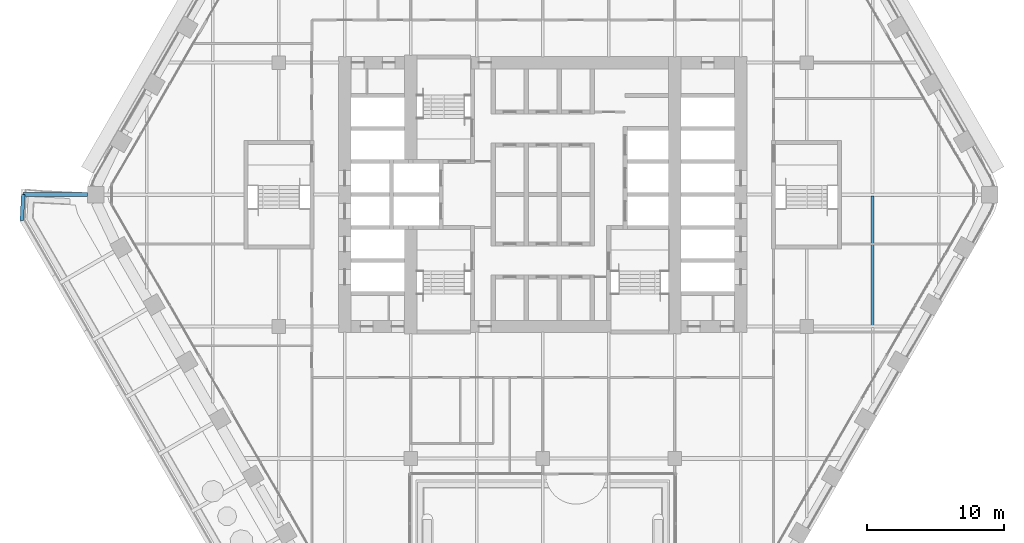
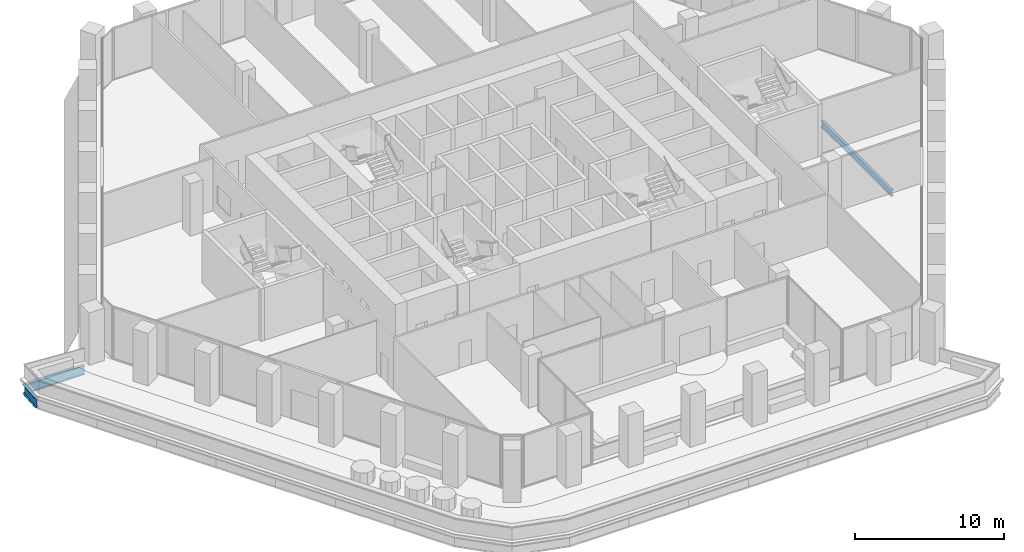
# One storey, part 6 of 27: 3 beams.
"""IFC4 building model written with IfcOpenShell, lengths in metres."""

from ifc_helpers import new_model, si_unit, direction, frame, origin, origin_2d, place, context, subcontext, project, spatial, i_section, extrude, material, material_profile, profile_set, type_object, element, save


model = new_model("IFC4")

# Units and contexts
model_context = context("Model", 3, precision=1e-05, world=origin(), true_north=direction((0.0, 1.0)))
body_context = subcontext(model_context, "Body", "Model", "MODEL_VIEW")
ifc_project = project(units=[si_unit("LENGTHUNIT", "METRE"), si_unit("AREAUNIT", "SQUARE_METRE"), si_unit("VOLUMEUNIT", "CUBIC_METRE"), si_unit("PLANEANGLEUNIT", "RADIAN"), si_unit("MASSUNIT", "GRAM", prefix="KILO")], contexts=[model_context])

# Site, building, storey
site_placement = place(None, origin())
site = spatial("IfcSite", under=ifc_project, at=site_placement, CompositionType="ELEMENT")
building_placement = place(site_placement, origin())
building = spatial("IfcBuilding", under=site, at=building_placement, Name="Kolab Exchange Tower", CompositionType="ELEMENT")
storey_placement = place(building_placement, frame((0.0, 0.0, 109.39990234375)))
storey = spatial("IfcBuildingStorey", under=building, at=storey_placement, Name="L21", CompositionType="ELEMENT", Elevation=109.39990234375)

# Beams
ifc_material = material(Name="Steel S355", Category="steel")
ifc_material_profile_1 = material_profile(ifc_material, i_section(OverallWidth=0.208984375, OverallDepth=0.532958984375, WebThickness=0.01025390625, FlangeThickness=0.015625, at=origin_2d()), Name="W530X92")
ifc_profile_set_1 = profile_set([ifc_material_profile_1], Name="Steel S355")
beam_type_1 = type_object("IfcBeamType", Name="FLOOR BEAM W530X92", PredefinedType="BEAM", material=ifc_profile_set_1)
beam_1_placement = place(storey_placement, frame((24.0, -9.52587890625, -0.46630859375), z_axis=(0.0, 1.0, 0.0), x_axis=(-1.0, 0.0, 0.0)))
element("IfcBeam", 1, at=beam_1_placement, inside=storey, type_object=beam_type_1, Name="beam/L21/fr/047", PredefinedType="BEAM", context=body_context, shape_type="SweptSolid", body=[
    extrude(i_section(OverallWidth=0.208984375, OverallDepth=0.532958984375, WebThickness=0.01025390625, FlangeThickness=0.015625, at=origin_2d()), origin(), (0.0, 0.0, 1.0), 9.43896484375),
])
ifc_material_profile_2 = material_profile(ifc_material, i_section(OverallWidth=0.26708984375, OverallDepth=0.761962890625, WebThickness=0.014404296875, FlangeThickness=0.021484375, at=origin_2d()), Name="W760X173")
ifc_profile_set_2 = profile_set([ifc_material_profile_2], Name="Steel S355")
beam_type_2 = type_object("IfcBeamType", Name="FLOOR GIRDER W760X173", PredefinedType="BEAM", material=ifc_profile_set_2)
beam_2_placement = place(storey_placement, frame((-33.135986328125, 0.0, -0.640869140625), z_axis=(-1.0, 0.0, 0.0), x_axis=(0.0, -1.0, 0.0)))
element("IfcBeam", 2, at=beam_2_placement, inside=storey, type_object=beam_type_2, Name="beam/L21/ledge/rib-14", PredefinedType="BEAM", context=body_context, shape_type="SweptSolid", body=[
    extrude(i_section(OverallWidth=0.26708984375, OverallDepth=0.761962890625, WebThickness=0.014404296875, FlangeThickness=0.021484375, at=origin_2d()), origin(), (0.0, 0.0, 1.0), 4.66650390625),
])
beam_3_placement = place(storey_placement, frame((-37.897216796875, -1.889892578125, -0.640869140625), z_axis=(0.050059880205, 0.998746218213, 0.0), x_axis=(-0.998746218213, 0.050059880205, 0.0)))
element("IfcBeam", 3, at=beam_3_placement, inside=storey, type_object=beam_type_2, Name="beam/L21/ledge/edge-17", PredefinedType="BEAM", context=body_context, shape_type="SweptSolid", body=[
    extrude(i_section(OverallWidth=0.26708984375, OverallDepth=0.761962890625, WebThickness=0.014404296875, FlangeThickness=0.021484375, at=origin_2d()), origin(), (0.0, 0.0, 1.0), 1.892333984375),
])

save(model, "model.ifc")
